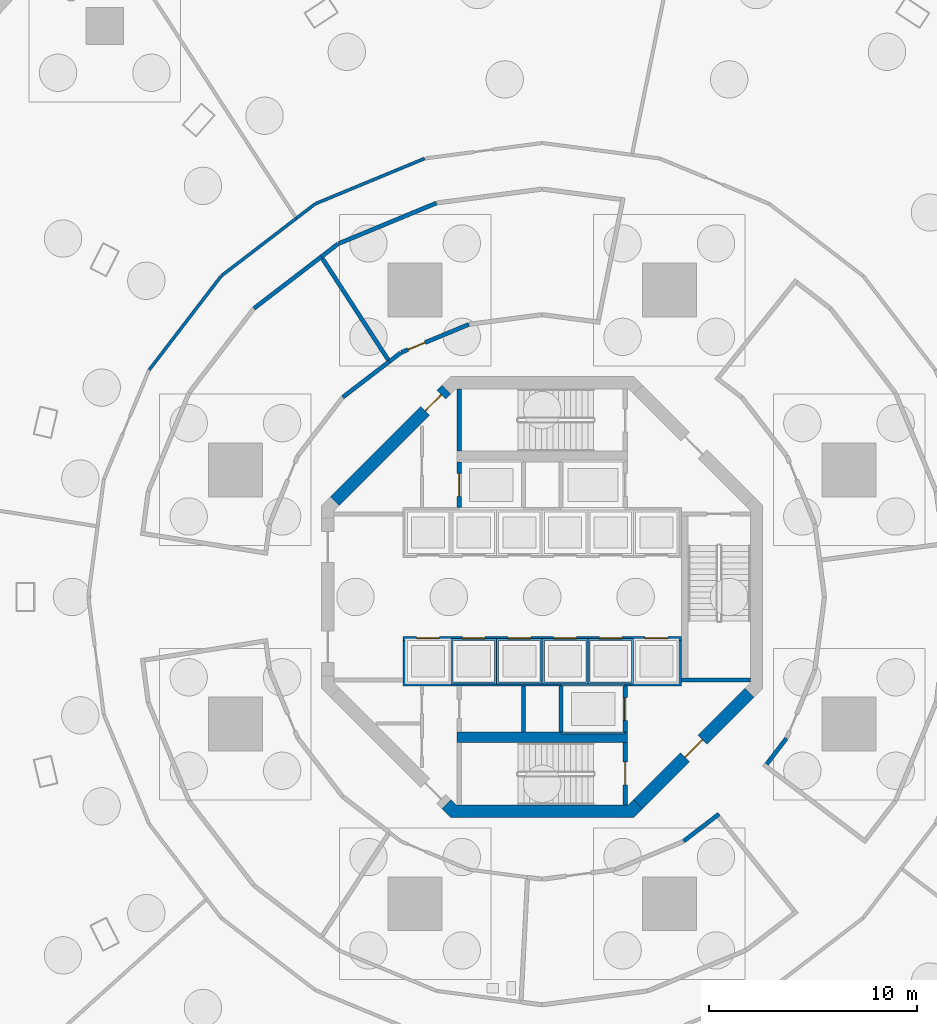
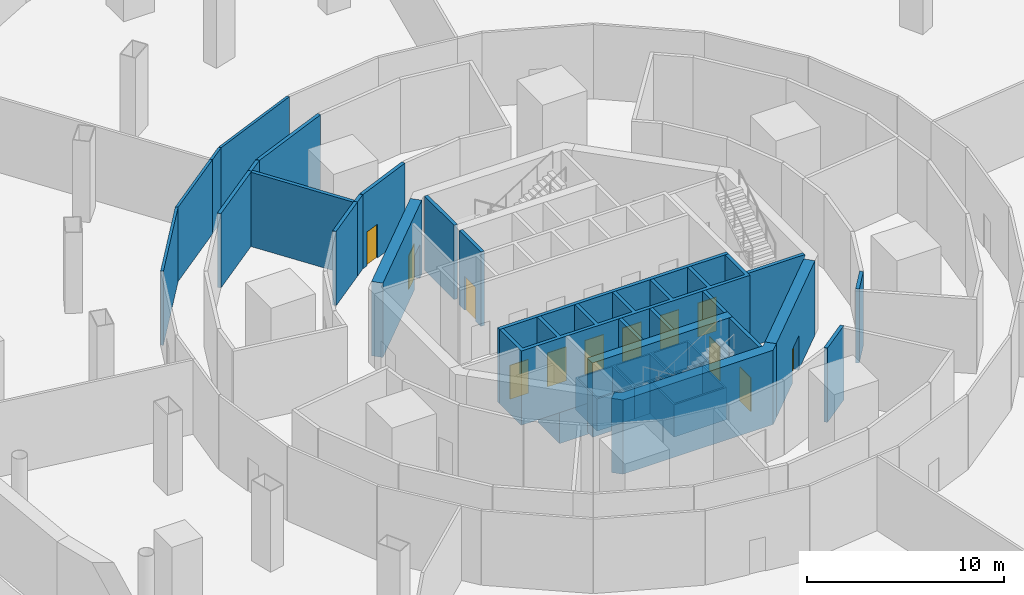
# One storey, part 7 of 14: 31 walls, 12 doors, 12 openings.
"""IFC4 building model written with IfcOpenShell, lengths in metres."""

from ifc_helpers import new_model, si_unit, direction, frame, frame_2d, origin, place, context, subcontext, project, spatial, polyline, rectangle, outline, extrude, material, layer, layer_set, type_object, element, fill, save


model = new_model("IFC4")

# Units and contexts
model_context = context("Model", 3, precision=1e-05, world=origin(), true_north=direction((0.0, 1.0)))
body_context = subcontext(model_context, "Body", "Model", "MODEL_VIEW")
ifc_project = project(units=[si_unit("LENGTHUNIT", "METRE"), si_unit("AREAUNIT", "SQUARE_METRE"), si_unit("VOLUMEUNIT", "CUBIC_METRE"), si_unit("PLANEANGLEUNIT", "RADIAN"), si_unit("MASSUNIT", "GRAM", prefix="KILO")], contexts=[model_context])

# Site, building, storey
site_placement = place(None, origin())
site = spatial("IfcSite", under=ifc_project, at=site_placement, CompositionType="ELEMENT")
building_placement = place(site_placement, origin())
building = spatial("IfcBuilding", under=site, at=building_placement, Name="Nagisa Residences", CompositionType="ELEMENT")
storey_placement = place(building_placement, frame((0.0, 0.0, -10.0)))
storey = spatial("IfcBuildingStorey", under=building, at=storey_placement, Name="B2", CompositionType="ELEMENT", Elevation=-10.0)

# Wall, opening, door
ifc_material_1 = material(Name="Concrete C60", Category="concrete")
ifc_layer_1 = layer(ifc_material_1, 0.60009765625)
ifc_layer_set_1 = layer_set([ifc_layer_1], Name="Core shear wall 600")
wall_type_1 = type_object("IfcWallType", Name="Core shear wall 600", PredefinedType="SHEAR", material=ifc_layer_set_1)
wall_1_placement = place(storey_placement, frame((-4.613037109375, 9.98828125, 0.0), z_axis=(0.0, 0.0, 1.0), x_axis=(-0.707106781187, -0.707106781187, 0.0)))
wall_1 = element("IfcWall", 1, at=wall_1_placement, inside=storey, type_object=wall_type_1, Name="wall:B2:core:flat3", PredefinedType="SHEAR", context=body_context, shape_type="SweptSolid", body=[
    extrude(rectangle(XDim=7.601806640625, YDim=0.60009765625, at=frame_2d((3.80078125, 0.0))), origin(), (0.0, 0.0, 1.0), 4.60009765625),
])
opening_1_placement = place(wall_1_placement, frame((0.350830078125, 0.0, 0.0)))
opening_1 = element("IfcOpeningElement", 2, at=opening_1_placement, cuts=wall_1, Name="Opening B2-C27", PredefinedType="OPENING", context=body_context, shape_type="SweptSolid", body=[
    extrude(rectangle(XDim=1.10009765625, YDim=2.10009765625, at=frame_2d((0.550048828125, 1.050048828125))), frame((0.0, 0.31005859375, 0.0), z_axis=(0.0, -1.0, 0.0), x_axis=(1.0, 0.0, 0.0)), (0.0, 0.0, 1.0), 0.6201171875),
])
ifc_material_2 = material(Name="Steel fire door", Category="steel")
door_type_1 = type_object("IfcDoorType", Name="Fire door EI60 1100x2100 single swing", OperationType="NOTDEFINED", PredefinedType="DOOR", material=ifc_material_2)
door_1_placement = place(opening_1_placement, origin())
door_1 = element("IfcDoor", 3, at=door_1_placement, inside=storey, type_object=door_type_1, Name="Service lobby door B2", OperationType="SINGLE_SWING_LEFT", OverallHeight=2.10009765625, OverallWidth=1.10009765625, PredefinedType="DOOR", context=body_context, shape_type="SweptSolid", body=[
    extrude(rectangle(XDim=1.10009765625, YDim=2.10009765625, at=frame_2d((0.550048828125, 1.050048828125))), frame((0.0, 0.02490234375, 0.0), z_axis=(0.0, -1.0, 0.0), x_axis=(1.0, 0.0, 0.0)), (0.0, 0.0, 1.0), 0.050048828125),
])
fill(opening_1, door_1)

wall_2_placement = place(storey_placement, frame((4.613037109375, -9.98828125, 0.0), z_axis=(0.0, 0.0, 1.0), x_axis=(0.707106781187, 0.707106781187, 0.0)))
wall_2 = element("IfcWall", 4, at=wall_2_placement, inside=storey, type_object=wall_type_1, Name="wall:B2:core:flat7", PredefinedType="SHEAR", context=body_context, shape_type="SweptSolid", body=[
    extrude(rectangle(XDim=7.601806640625, YDim=0.60009765625, at=frame_2d((3.80078125, 0.0))), origin(), (0.0, 0.0, 1.0), 4.60009765625),
])
opening_2_placement = place(wall_2_placement, frame((3.200927734375, 0.0, 0.0)))
opening_2 = element("IfcOpeningElement", 5, at=opening_2_placement, cuts=wall_2, Name="Opening B2-C24", PredefinedType="OPENING", context=body_context, shape_type="SweptSolid", body=[
    extrude(rectangle(XDim=1.199951171875, YDim=2.10009765625, at=frame_2d((0.60009765625, 1.050048828125))), frame((0.0, 0.31005859375, 0.0), z_axis=(0.0, -1.0, 0.0), x_axis=(1.0, 0.0, 0.0)), (0.0, 0.0, 1.0), 0.6201171875),
])
ifc_material_3 = material(Name="Steel fire door", Category="steel")
door_type_2 = type_object("IfcDoorType", Name="Fire door EI60 1200x2100 single swing", OperationType="NOTDEFINED", PredefinedType="DOOR", material=ifc_material_3)
door_2_placement = place(opening_2_placement, origin())
door_2 = element("IfcDoor", 6, at=door_2_placement, inside=storey, type_object=door_type_2, Name="Firefighting lobby 2 door B2", OperationType="SINGLE_SWING_LEFT", OverallHeight=2.10009765625, OverallWidth=1.199951171875, PredefinedType="DOOR", context=body_context, shape_type="SweptSolid", body=[
    extrude(rectangle(XDim=1.199951171875, YDim=2.10009765625, at=frame_2d((0.60009765625, 1.050048828125))), frame((0.0, 0.02490234375, 0.0), z_axis=(0.0, -1.0, 0.0), x_axis=(1.0, 0.0, 0.0)), (0.0, 0.0, 1.0), 0.050048828125),
])
fill(opening_2, door_2)

# Walls
wall_3_placement = place(storey_placement, origin())
element("IfcWall", 7, at=wall_3_placement, inside=storey, type_object=wall_type_1, Name="wall:B2:core:flat6", PredefinedType="SHEAR", context=body_context, shape_type="SweptSolid", body=[
    extrude(outline(polyline([(-4.15234375, -10.024658203125), (4.15234375, -10.024658203125), (4.40087890625, -9.776123046875), (4.8251953125, -10.200439453125), (4.40087890625, -10.62451171875), (-4.40087890625, -10.62451171875), (-4.8251953125, -10.200439453125), (-4.40087890625, -9.776123046875), (-4.15234375, -10.024658203125)])), origin(), (0.0, 0.0, 1.0), 4.60009765625),
])
ifc_material_4 = material(Name="Concrete C60", Category="concrete")
ifc_layer_2 = layer(ifc_material_4, 0.300048828125)
ifc_layer_set_2 = layer_set([ifc_layer_2], Name="Lift pit wall")
wall_type_2 = type_object("IfcWallType", Name="Lift pit wall", PredefinedType="SOLIDWALL", material=ifc_layer_set_2)
wall_4_placement = place(storey_placement, frame((0.0, 0.0, -2.0)))
element("IfcWall", 8, at=wall_4_placement, inside=storey, type_object=wall_type_2, Name="pit:A5:wall", PredefinedType="SOLIDWALL", context=body_context, shape_type="SweptSolid", body=[
    extrude(outline(polyline([(-2.199951171875, -4.199951171875), (-4.39990234375, -4.199951171875), (-4.39990234375, -2.0), (-2.199951171875, -2.0), (-2.199951171875, -4.199951171875)]), holes=[polyline([(-2.300048828125, -4.10009765625), (-2.300048828125, -2.10009765625), (-4.300048828125, -2.10009765625), (-4.300048828125, -4.10009765625), (-2.300048828125, -4.10009765625)])]), origin(), (0.0, 0.0, 1.0), 2.0),
])
wall_5_placement = place(storey_placement, frame((0.0, 0.0, -2.0)))
element("IfcWall", 9, at=wall_5_placement, inside=storey, type_object=wall_type_2, Name="pit:B3:wall", PredefinedType="SOLIDWALL", context=body_context, shape_type="SweptSolid", body=[
    extrude(outline(polyline([(0.0, -4.199951171875), (-2.199951171875, -4.199951171875), (-2.199951171875, -2.0), (0.0, -2.0), (0.0, -4.199951171875)]), holes=[polyline([(-0.10009765625, -4.10009765625), (-0.10009765625, -2.10009765625), (-2.10009765625, -2.10009765625), (-2.10009765625, -4.10009765625), (-0.10009765625, -4.10009765625)])]), origin(), (0.0, 0.0, 1.0), 2.0),
])
wall_6_placement = place(storey_placement, frame((0.0, 0.0, -2.0)))
element("IfcWall", 10, at=wall_6_placement, inside=storey, type_object=wall_type_2, Name="pit:B4:wall", PredefinedType="SOLIDWALL", context=body_context, shape_type="SweptSolid", body=[
    extrude(outline(polyline([(2.199951171875, -4.199951171875), (0.0, -4.199951171875), (0.0, -2.0), (2.199951171875, -2.0), (2.199951171875, -4.199951171875)]), holes=[polyline([(2.10009765625, -4.10009765625), (2.10009765625, -2.10009765625), (0.10009765625, -2.10009765625), (0.10009765625, -4.10009765625), (2.10009765625, -4.10009765625)])]), origin(), (0.0, 0.0, 1.0), 2.0),
])
wall_7_placement = place(storey_placement, frame((0.0, 0.0, -2.0)))
element("IfcWall", 11, at=wall_7_placement, inside=storey, type_object=wall_type_2, Name="pit:C2:wall", PredefinedType="SOLIDWALL", context=body_context, shape_type="SweptSolid", body=[
    extrude(outline(polyline([(4.39990234375, -4.199951171875), (2.199951171875, -4.199951171875), (2.199951171875, -2.0), (4.39990234375, -2.0), (4.39990234375, -4.199951171875)]), holes=[polyline([(4.300048828125, -4.10009765625), (4.300048828125, -2.10009765625), (2.300048828125, -2.10009765625), (2.300048828125, -4.10009765625), (4.300048828125, -4.10009765625)])]), origin(), (0.0, 0.0, 1.0), 2.0),
])
wall_8_placement = place(storey_placement, frame((0.0, 0.0, -2.0)))
element("IfcWall", 12, at=wall_8_placement, inside=storey, type_object=wall_type_2, Name="pit:FL2:wall", PredefinedType="SOLIDWALL", context=body_context, shape_type="SweptSolid", body=[
    extrude(outline(polyline([(4.0, -6.60009765625), (0.89990234375, -6.60009765625), (0.89990234375, -4.199951171875), (4.0, -4.199951171875), (4.0, -6.60009765625)]), holes=[polyline([(3.89990234375, -6.5), (3.89990234375, -4.300048828125), (1.0, -4.300048828125), (1.0, -6.5), (3.89990234375, -6.5)])]), origin(), (0.0, 0.0, 1.0), 2.0),
])

# Wall, opening, door
ifc_material_5 = material(Name="Concrete C60", Category="concrete")
ifc_layer_3 = layer(ifc_material_5, 0.199951171875)
ifc_layer_set_3 = layer_set([ifc_layer_3], Name="Lift shaft wall 200")
wall_type_3 = type_object("IfcWallType", Name="Lift shaft wall 200", PredefinedType="SOLIDWALL", material=ifc_layer_set_3)
wall_9_placement = place(storey_placement, frame((-4.0, 4.300048828125, 0.0), z_axis=(0.0, 0.0, 1.0), x_axis=(0.0, 1.0, 0.0)))
wall_9 = element("IfcWall", 13, at=wall_9_placement, inside=storey, type_object=wall_type_3, Name="wall:B2:Nb4", PredefinedType="SOLIDWALL", context=body_context, shape_type="SweptSolid", body=[
    extrude(rectangle(XDim=2.199951171875, YDim=0.199951171875, at=frame_2d((1.10009765625, 0.0))), origin(), (0.0, 0.0, 1.0), 4.60009765625),
])
opening_3_placement = place(wall_9_placement, frame((0.550048828125, 0.0, 0.0)))
opening_3 = element("IfcOpeningElement", 14, at=opening_3_placement, cuts=wall_9, Name="Opening B2-C15", PredefinedType="OPENING", context=body_context, shape_type="SweptSolid", body=[
    extrude(rectangle(XDim=1.10009765625, YDim=2.10009765625, at=frame_2d((0.550048828125, 1.050048828125))), frame((0.0, 0.10986328125, 0.0), z_axis=(0.0, -1.0, 0.0), x_axis=(1.0, 0.0, 0.0)), (0.0, 0.0, 1.0), 0.219970703125),
])
ifc_material_6 = material(Name="Stainless steel", Category="steel")
door_type_3 = type_object("IfcDoorType", Name="Lift landing door 1100x2100", OperationType="DOUBLE_DOOR_SLIDING", PredefinedType="DOOR", material=ifc_material_6)
door_3_placement = place(opening_3_placement, origin())
door_3 = element("IfcDoor", 15, at=door_3_placement, inside=storey, type_object=door_type_3, Name="Landing door SV B2", OperationType="DOUBLE_DOOR_SLIDING", OverallHeight=2.10009765625, OverallWidth=1.10009765625, PredefinedType="DOOR", context=body_context, shape_type="SweptSolid", body=[
    extrude(rectangle(XDim=1.10009765625, YDim=2.10009765625, at=frame_2d((0.550048828125, 1.050048828125))), frame((0.0, 0.02490234375, 0.0), z_axis=(0.0, -1.0, 0.0), x_axis=(1.0, 0.0, 0.0)), (0.0, 0.0, 1.0), 0.050048828125),
])
fill(opening_3, door_3)

wall_10_placement = place(storey_placement, frame((4.0, -6.5, 0.0), z_axis=(0.0, 0.0, 1.0), x_axis=(0.0, 1.0, 0.0)))
wall_10 = element("IfcWall", 16, at=wall_10_placement, inside=storey, type_object=wall_type_3, Name="wall:B2:Sb3", PredefinedType="SOLIDWALL", context=body_context, shape_type="SweptSolid", body=[
    extrude(rectangle(XDim=2.199951171875, YDim=0.199951171875, at=frame_2d((1.10009765625, 0.0))), origin(), (0.0, 0.0, 1.0), 4.60009765625),
])
opening_4_placement = place(wall_10_placement, frame((0.550048828125, 0.0, 0.0)))
opening_4 = element("IfcOpeningElement", 17, at=opening_4_placement, cuts=wall_10, Name="Opening B2-C14", PredefinedType="OPENING", context=body_context, shape_type="SweptSolid", body=[
    extrude(rectangle(XDim=1.10009765625, YDim=2.10009765625, at=frame_2d((0.550048828125, 1.050048828125))), frame((0.0, 0.10986328125, 0.0), z_axis=(0.0, -1.0, 0.0), x_axis=(1.0, 0.0, 0.0)), (0.0, 0.0, 1.0), 0.219970703125),
])
door_4_placement = place(opening_4_placement, origin())
door_4 = element("IfcDoor", 18, at=door_4_placement, inside=storey, type_object=door_type_3, Name="Landing door FL2 B2", OperationType="DOUBLE_DOOR_SLIDING", OverallHeight=2.10009765625, OverallWidth=1.10009765625, PredefinedType="DOOR", context=body_context, shape_type="SweptSolid", body=[
    extrude(rectangle(XDim=1.10009765625, YDim=2.10009765625, at=frame_2d((0.550048828125, 1.050048828125))), frame((0.0, 0.02490234375, 0.0), z_axis=(0.0, -1.0, 0.0), x_axis=(1.0, 0.0, 0.0)), (0.0, 0.0, 1.0), 0.050048828125),
])
fill(opening_4, door_4)

# Wall, openings, doors
wall_11_placement = place(storey_placement, frame((-6.699951171875, -2.0, 0.0), z_axis=(0.0, 0.0, 1.0), x_axis=(1.0, 0.0, 0.0)))
wall_11 = element("IfcWall", 19, at=wall_11_placement, inside=storey, type_object=wall_type_3, Name="wall:B2:Sfront", PredefinedType="SOLIDWALL", context=body_context, shape_type="SweptSolid", body=[
    extrude(rectangle(XDim=13.39990234375, YDim=0.199951171875, at=frame_2d((6.699951171875, 0.0))), origin(), (0.0, 0.0, 1.0), 4.60009765625),
])
opening_5_placement = place(wall_11_placement, frame((0.64990234375, 0.0, 0.0)))
opening_5 = element("IfcOpeningElement", 20, at=opening_5_placement, cuts=wall_11, Name="Opening B2-C07", PredefinedType="OPENING", context=body_context, shape_type="SweptSolid", body=[
    extrude(rectangle(XDim=1.10009765625, YDim=2.10009765625, at=frame_2d((0.550048828125, 1.050048828125))), frame((0.0, 0.10986328125, 0.0), z_axis=(0.0, -1.0, 0.0), x_axis=(1.0, 0.0, 0.0)), (0.0, 0.0, 1.0), 0.219970703125),
])
opening_6_placement = place(wall_11_placement, frame((2.85009765625, 0.0, 0.0)))
opening_6 = element("IfcOpeningElement", 21, at=opening_6_placement, cuts=wall_11, Name="Opening B2-C08", PredefinedType="OPENING", context=body_context, shape_type="SweptSolid", body=[
    extrude(rectangle(XDim=1.10009765625, YDim=2.10009765625, at=frame_2d((0.550048828125, 1.050048828125))), frame((0.0, 0.10986328125, 0.0), z_axis=(0.0, -1.0, 0.0), x_axis=(1.0, 0.0, 0.0)), (0.0, 0.0, 1.0), 0.219970703125),
])
opening_7_placement = place(wall_11_placement, frame((5.050048828125, 0.0, 0.0)))
opening_7 = element("IfcOpeningElement", 22, at=opening_7_placement, cuts=wall_11, Name="Opening B2-C09", PredefinedType="OPENING", context=body_context, shape_type="SweptSolid", body=[
    extrude(rectangle(XDim=1.10009765625, YDim=2.10009765625, at=frame_2d((0.550048828125, 1.050048828125))), frame((0.0, 0.10986328125, 0.0), z_axis=(0.0, -1.0, 0.0), x_axis=(1.0, 0.0, 0.0)), (0.0, 0.0, 1.0), 0.219970703125),
])
opening_8_placement = place(wall_11_placement, frame((7.25, 0.0, 0.0)))
opening_8 = element("IfcOpeningElement", 23, at=opening_8_placement, cuts=wall_11, Name="Opening B2-C10", PredefinedType="OPENING", context=body_context, shape_type="SweptSolid", body=[
    extrude(rectangle(XDim=1.10009765625, YDim=2.10009765625, at=frame_2d((0.550048828125, 1.050048828125))), frame((0.0, 0.10986328125, 0.0), z_axis=(0.0, -1.0, 0.0), x_axis=(1.0, 0.0, 0.0)), (0.0, 0.0, 1.0), 0.219970703125),
])
opening_9_placement = place(wall_11_placement, frame((9.449951171875, 0.0, 0.0)))
opening_9 = element("IfcOpeningElement", 24, at=opening_9_placement, cuts=wall_11, Name="Opening B2-C11", PredefinedType="OPENING", context=body_context, shape_type="SweptSolid", body=[
    extrude(rectangle(XDim=1.10009765625, YDim=2.10009765625, at=frame_2d((0.550048828125, 1.050048828125))), frame((0.0, 0.10986328125, 0.0), z_axis=(0.0, -1.0, 0.0), x_axis=(1.0, 0.0, 0.0)), (0.0, 0.0, 1.0), 0.219970703125),
])
opening_10_placement = place(wall_11_placement, frame((11.64990234375, 0.0, 0.0)))
opening_10 = element("IfcOpeningElement", 25, at=opening_10_placement, cuts=wall_11, Name="Opening B2-C12", PredefinedType="OPENING", context=body_context, shape_type="SweptSolid", body=[
    extrude(rectangle(XDim=1.10009765625, YDim=2.10009765625, at=frame_2d((0.550048828125, 1.050048828125))), frame((0.0, 0.10986328125, 0.0), z_axis=(0.0, -1.0, 0.0), x_axis=(1.0, 0.0, 0.0)), (0.0, 0.0, 1.0), 0.219970703125),
])
door_5_placement = place(opening_5_placement, origin())
door_5 = element("IfcDoor", 26, at=door_5_placement, inside=storey, type_object=door_type_3, Name="Landing door A4 B2", OperationType="DOUBLE_DOOR_SLIDING", OverallHeight=2.10009765625, OverallWidth=1.10009765625, PredefinedType="DOOR", context=body_context, shape_type="SweptSolid", body=[
    extrude(rectangle(XDim=1.10009765625, YDim=2.10009765625, at=frame_2d((0.550048828125, 1.050048828125))), frame((0.0, 0.02490234375, 0.0), z_axis=(0.0, -1.0, 0.0), x_axis=(1.0, 0.0, 0.0)), (0.0, 0.0, 1.0), 0.050048828125),
])
fill(opening_5, door_5)
door_6_placement = place(opening_6_placement, origin())
door_6 = element("IfcDoor", 27, at=door_6_placement, inside=storey, type_object=door_type_3, Name="Landing door A5 B2", OperationType="DOUBLE_DOOR_SLIDING", OverallHeight=2.10009765625, OverallWidth=1.10009765625, PredefinedType="DOOR", context=body_context, shape_type="SweptSolid", body=[
    extrude(rectangle(XDim=1.10009765625, YDim=2.10009765625, at=frame_2d((0.550048828125, 1.050048828125))), frame((0.0, 0.02490234375, 0.0), z_axis=(0.0, -1.0, 0.0), x_axis=(1.0, 0.0, 0.0)), (0.0, 0.0, 1.0), 0.050048828125),
])
fill(opening_6, door_6)
door_7_placement = place(opening_7_placement, origin())
door_7 = element("IfcDoor", 28, at=door_7_placement, inside=storey, type_object=door_type_3, Name="Landing door B3 B2", OperationType="DOUBLE_DOOR_SLIDING", OverallHeight=2.10009765625, OverallWidth=1.10009765625, PredefinedType="DOOR", context=body_context, shape_type="SweptSolid", body=[
    extrude(rectangle(XDim=1.10009765625, YDim=2.10009765625, at=frame_2d((0.550048828125, 1.050048828125))), frame((0.0, 0.02490234375, 0.0), z_axis=(0.0, -1.0, 0.0), x_axis=(1.0, 0.0, 0.0)), (0.0, 0.0, 1.0), 0.050048828125),
])
fill(opening_7, door_7)
door_8_placement = place(opening_8_placement, origin())
door_8 = element("IfcDoor", 29, at=door_8_placement, inside=storey, type_object=door_type_3, Name="Landing door B4 B2", OperationType="DOUBLE_DOOR_SLIDING", OverallHeight=2.10009765625, OverallWidth=1.10009765625, PredefinedType="DOOR", context=body_context, shape_type="SweptSolid", body=[
    extrude(rectangle(XDim=1.10009765625, YDim=2.10009765625, at=frame_2d((0.550048828125, 1.050048828125))), frame((0.0, 0.02490234375, 0.0), z_axis=(0.0, -1.0, 0.0), x_axis=(1.0, 0.0, 0.0)), (0.0, 0.0, 1.0), 0.050048828125),
])
fill(opening_8, door_8)
door_9_placement = place(opening_9_placement, origin())
door_9 = element("IfcDoor", 30, at=door_9_placement, inside=storey, type_object=door_type_3, Name="Landing door C2 B2", OperationType="DOUBLE_DOOR_SLIDING", OverallHeight=2.10009765625, OverallWidth=1.10009765625, PredefinedType="DOOR", context=body_context, shape_type="SweptSolid", body=[
    extrude(rectangle(XDim=1.10009765625, YDim=2.10009765625, at=frame_2d((0.550048828125, 1.050048828125))), frame((0.0, 0.02490234375, 0.0), z_axis=(0.0, -1.0, 0.0), x_axis=(1.0, 0.0, 0.0)), (0.0, 0.0, 1.0), 0.050048828125),
])
fill(opening_9, door_9)
door_10_placement = place(opening_10_placement, origin())
door_10 = element("IfcDoor", 31, at=door_10_placement, inside=storey, type_object=door_type_3, Name="Landing door C3 B2", OperationType="DOUBLE_DOOR_SLIDING", OverallHeight=2.10009765625, OverallWidth=1.10009765625, PredefinedType="DOOR", context=body_context, shape_type="SweptSolid", body=[
    extrude(rectangle(XDim=1.10009765625, YDim=2.10009765625, at=frame_2d((0.550048828125, 1.050048828125))), frame((0.0, 0.02490234375, 0.0), z_axis=(0.0, -1.0, 0.0), x_axis=(1.0, 0.0, 0.0)), (0.0, 0.0, 1.0), 0.050048828125),
])
fill(opening_10, door_10)

# Walls
for number, where, z_axis, x_axis, name in (
    (32, (-0.89990234375, -6.5, 0.0), (0.0, 0.0, 1.0), (0.0, 1.0, 0.0), "wall:B2:Sb1"),
    (33, (0.89990234375, -6.5, 0.0), (0.0, 0.0, 1.0), (0.0, 1.0, 0.0), "wall:B2:Sb2"),
):
    element("IfcWall", number, at=place(storey_placement, frame(where, z_axis=z_axis, x_axis=x_axis)), inside=storey, type_object=wall_type_3, Name=name, PredefinedType="SOLIDWALL", context=body_context, shape_type="SweptSolid", body=[
        extrude(rectangle(XDim=2.199951171875, YDim=0.199951171875, at=frame_2d((1.10009765625, 0.0))), origin(), (0.0, 0.0, 1.0), 4.60009765625),
    ])
wall_12_placement = place(storey_placement, origin())
element("IfcWall", 34, at=wall_12_placement, inside=storey, type_object=wall_type_3, Name="wall:B2:Sback", PredefinedType="SOLIDWALL", context=body_context, shape_type="SweptSolid", body=[
    extrude(outline(polyline([(-6.699951171875, -2.10009765625), (-6.5, -2.10009765625), (-6.5, -4.10009765625), (-4.5, -4.10009765625), (-4.5, -2.10009765625), (-4.300048828125, -2.10009765625), (-4.300048828125, -4.10009765625), (-2.300048828125, -4.10009765625), (-2.300048828125, -2.10009765625), (-2.10009765625, -2.10009765625), (-2.10009765625, -4.10009765625), (-0.10009765625, -4.10009765625), (-0.10009765625, -2.10009765625), (0.10009765625, -2.10009765625), (0.10009765625, -4.10009765625), (2.10009765625, -4.10009765625), (2.10009765625, -2.10009765625), (2.300048828125, -2.10009765625), (2.300048828125, -4.10009765625), (4.300048828125, -4.10009765625), (4.300048828125, -2.10009765625), (4.5, -2.10009765625), (4.5, -4.10009765625), (6.5, -4.10009765625), (6.5, -2.10009765625), (6.699951171875, -2.10009765625), (6.699951171875, -4.300048828125), (-6.699951171875, -4.300048828125), (-6.699951171875, -2.10009765625)])), origin(), (0.0, 0.0, 1.0), 4.60009765625),
])
ifc_material_7 = material(Name="Gypsum board on steel studs", Category="steel")
ifc_layer_4 = layer(ifc_material_7, 0.199951171875)
ifc_layer_set_4 = layer_set([ifc_layer_4], Name="Plant room wall EI120 200")
wall_type_4 = type_object("IfcWallType", Name="Plant room wall EI120 200", PredefinedType="PARTITIONING", material=ifc_layer_set_4)
wall_13_placement = place(storey_placement, frame((-10.644287109375, 16.390869140625, 0.0), z_axis=(0.0, 0.0, 1.0), x_axis=(-0.79334357443, -0.608774155916, 0.0)))
element("IfcWall", 35, at=wall_13_placement, inside=storey, type_object=wall_type_4, Name="wall:B2:am059", PredefinedType="PARTITIONING", context=body_context, shape_type="SweptSolid", body=[
    extrude(rectangle(XDim=4.083251953125, YDim=0.199951171875, at=frame_2d((2.04150390625, 0.0))), origin(), (0.0, 0.0, 1.0), 4.60009765625),
])
wall_14_placement = place(storey_placement, frame((-9.837890625, 17.009765625, 0.0), z_axis=(0.0, 0.0, 1.0), x_axis=(-0.793293139848, -0.608839875723, 0.0)))
element("IfcWall", 36, at=wall_14_placement, inside=storey, type_object=wall_type_4, Name="wall:B2:am060", PredefinedType="PARTITIONING", context=body_context, shape_type="SweptSolid", body=[
    extrude(rectangle(XDim=1.0166015625, YDim=0.199951171875, at=frame_2d((0.50830078125, 0.0))), origin(), (0.0, 0.0, 1.0), 4.60009765625),
])
wall_15_placement = place(storey_placement, frame((-9.604736328125, 9.6259765625, 0.0), z_axis=(0.0, 0.0, 1.0), x_axis=(0.793389024662, 0.608714921409, 0.0)))
element("IfcWall", 37, at=wall_15_placement, inside=storey, type_object=wall_type_4, Name="wall:B2:am062", PredefinedType="PARTITIONING", context=body_context, shape_type="SweptSolid", body=[
    extrude(rectangle(XDim=2.821044921875, YDim=0.199951171875, at=frame_2d((1.41064453125, 0.0))), origin(), (0.0, 0.0, 1.0), 4.60009765625),
])
wall_16_placement = place(storey_placement, frame((-7.421142578125, 11.427490234375, 0.0), z_axis=(0.0, 0.0, 1.0), x_axis=(-0.544637259436, 0.838671721017, 0.0)))
element("IfcWall", 38, at=wall_16_placement, inside=storey, type_object=wall_type_4, Name="wall:B2:am064", PredefinedType="PARTITIONING", context=body_context, shape_type="SweptSolid", body=[
    extrude(rectangle(XDim=5.818115234375, YDim=0.199951171875, at=frame_2d((2.9091796875, 0.0))), origin(), (0.0, 0.0, 1.0), 4.60009765625),
])
wall_17_placement = place(storey_placement, frame((-7.366455078125, 11.34326171875, 0.0), z_axis=(0.0, 0.0, 1.0), x_axis=(0.793454504248, 0.608629566887, 0.0)))
element("IfcWall", 39, at=wall_17_placement, inside=storey, type_object=wall_type_4, Name="wall:B2:am065", PredefinedType="PARTITIONING", context=body_context, shape_type="SweptSolid", body=[
    extrude(rectangle(XDim=0.69873046875, YDim=0.199951171875, at=frame_2d((0.349365234375, 0.0))), origin(), (0.0, 0.0, 1.0), 4.60009765625),
])

# Wall, opening, door
wall_18_placement = place(storey_placement, frame((-6.785888671875, 11.78369140625, 0.0), z_axis=(0.0, 0.0, 1.0), x_axis=(0.92386297064, 0.382723413813, 0.0)))
wall_18 = element("IfcWall", 40, at=wall_18_placement, inside=storey, type_object=wall_type_4, Name="wall:B2:am066", PredefinedType="PARTITIONING", context=body_context, shape_type="SweptSolid", body=[
    extrude(rectangle(XDim=3.52001953125, YDim=0.199951171875, at=frame_2d((1.760009765625, 0.0))), origin(), (0.0, 0.0, 1.0), 4.60009765625),
])
opening_11_placement = place(wall_18_placement, frame((0.34228515625, 0.0, 0.0)))
opening_11 = element("IfcOpeningElement", 41, at=opening_11_placement, cuts=wall_18, Name="Opening B2-A02", PredefinedType="OPENING", context=body_context, shape_type="SweptSolid", body=[
    extrude(rectangle(XDim=0.89990234375, YDim=2.10009765625, at=frame_2d((0.449951171875, 1.050048828125))), frame((0.0, 0.10986328125, 0.0), z_axis=(0.0, -1.0, 0.0), x_axis=(1.0, 0.0, 0.0)), (0.0, 0.0, 1.0), 0.219970703125),
])
ifc_material_8 = material(Name="Steel fire door", Category="steel")
door_type_4 = type_object("IfcDoorType", Name="Fire door EI120 900x2100 single swing", OperationType="NOTDEFINED", PredefinedType="DOOR", material=ifc_material_8)
door_11_placement = place(opening_11_placement, origin())
door_11 = element("IfcDoor", 42, at=door_11_placement, inside=storey, type_object=door_type_4, Name="Fire water tank room door", OperationType="SINGLE_SWING_LEFT", OverallHeight=2.10009765625, OverallWidth=0.89990234375, PredefinedType="DOOR", context=body_context, shape_type="SweptSolid", body=[
    extrude(rectangle(XDim=0.89990234375, YDim=2.10009765625, at=frame_2d((0.449951171875, 1.050048828125))), frame((0.0, 0.02490234375, 0.0), z_axis=(0.0, -1.0, 0.0), x_axis=(1.0, 0.0, 0.0)), (0.0, 0.0, 1.0), 0.050048828125),
])
fill(opening_11, door_11)

# Walls
wall_19_placement = place(storey_placement, frame((-5.100341796875, 18.976318359375, 0.0), z_axis=(0.0, 0.0, 1.0), x_axis=(-0.9238779676, -0.382687210373, 0.0)))
element("IfcWall", 43, at=wall_19_placement, inside=storey, type_object=wall_type_4, Name="wall:B2:am067", PredefinedType="PARTITIONING", context=body_context, shape_type="SweptSolid", body=[
    extrude(rectangle(XDim=5.099853515625, YDim=0.199951171875, at=frame_2d((2.5498046875, 0.0))), origin(), (0.0, 0.0, 1.0), 4.60009765625),
])
wall_20_placement = place(storey_placement, frame((8.521240234375, -10.457275390625, 0.0), z_axis=(0.0, 0.0, 1.0), x_axis=(-0.793411148419, -0.608686084582, 0.0)))
element("IfcWall", 44, at=wall_20_placement, inside=storey, type_object=wall_type_4, Name="wall:B2:am080", PredefinedType="PARTITIONING", context=body_context, shape_type="SweptSolid", body=[
    extrude(rectangle(XDim=2.154296875, YDim=0.199951171875, at=frame_2d((1.0771484375, 0.0))), origin(), (0.0, 0.0, 1.0), 4.60009765625),
])
wall_21_placement = place(storey_placement, frame((11.7685546875, -6.81201171875, 0.0), z_axis=(0.0, 0.0, 1.0), x_axis=(-0.608670453571, -0.793423139913, 0.0)))
element("IfcWall", 45, at=wall_21_placement, inside=storey, type_object=wall_type_4, Name="wall:B2:am085", PredefinedType="PARTITIONING", context=body_context, shape_type="SweptSolid", body=[
    extrude(rectangle(XDim=1.56591796875, YDim=0.199951171875, at=frame_2d((0.782958984375, 0.0))), origin(), (0.0, 0.0, 1.0), 4.60009765625),
])
ifc_material_9 = material(Name="Gypsum board on steel studs", Category="steel")
ifc_layer_5 = layer(ifc_material_9, 0.14990234375)
ifc_layer_set_5 = layer_set([ifc_layer_5], Name="Room partition EI60 150")
wall_type_5 = type_object("IfcWallType", Name="Room partition EI60 150", PredefinedType="PARTITIONING", material=ifc_layer_set_5)
wall_22_placement = place(storey_placement, frame((-18.933349609375, 10.94482421875, 0.0), z_axis=(0.0, 0.0, 1.0), x_axis=(0.608757822828, 0.793356107398, 0.0)))
element("IfcWall", 46, at=wall_22_placement, inside=storey, type_object=wall_type_5, Name="wall:B2:am006", PredefinedType="PARTITIONING", context=body_context, shape_type="SweptSolid", body=[
    extrude(rectangle(XDim=5.685546875, YDim=0.14990234375, at=frame_2d((2.8427734375, 0.0))), origin(), (0.0, 0.0, 1.0), 4.60009765625),
])
wall_23_placement = place(storey_placement, frame((-15.45556640625, 15.47216796875, 0.0), z_axis=(0.0, 0.0, 1.0), x_axis=(0.793357543816, 0.608755950829, 0.0)))
element("IfcWall", 47, at=wall_23_placement, inside=storey, type_object=wall_type_5, Name="wall:B2:am010", PredefinedType="PARTITIONING", context=body_context, shape_type="SweptSolid", body=[
    extrude(rectangle(XDim=4.549560546875, YDim=0.14990234375, at=frame_2d((2.27490234375, 0.0))), origin(), (0.0, 0.0, 1.0), 4.60009765625),
])
wall_24_placement = place(storey_placement, frame((-11.84619140625, 18.24169921875, 0.0), z_axis=(0.0, 0.0, 1.0), x_axis=(0.793350355506, 0.608765318837, 0.0)))
element("IfcWall", 48, at=wall_24_placement, inside=storey, type_object=wall_type_5, Name="wall:B2:am012", PredefinedType="PARTITIONING", context=body_context, shape_type="SweptSolid", body=[
    extrude(rectangle(XDim=1.13623046875, YDim=0.14990234375, at=frame_2d((0.568115234375, 0.0))), origin(), (0.0, 0.0, 1.0), 4.60009765625),
])
wall_25_placement = place(storey_placement, frame((-10.92431640625, 18.945068359375, 0.0), z_axis=(0.0, 0.0, 1.0), x_axis=(0.923876568882, 0.38269058712, 0.0)))
element("IfcWall", 49, at=wall_25_placement, inside=storey, type_object=wall_type_5, Name="wall:B2:am014", PredefinedType="PARTITIONING", context=body_context, shape_type="SweptSolid", body=[
    extrude(rectangle(XDim=5.685546875, YDim=0.14990234375, at=frame_2d((2.8427734375, 0.0))), origin(), (0.0, 0.0, 1.0), 4.60009765625),
])

# Wall, opening, door
ifc_material_10 = material(Name="Concrete C60", Category="concrete")
ifc_layer_6 = layer(ifc_material_10, 0.199951171875)
ifc_layer_set_6 = layer_set([ifc_layer_6], Name="Stair enclosure wall 200")
wall_type_6 = type_object("IfcWallType", Name="Stair enclosure wall 200", PredefinedType="SOLIDWALL", material=ifc_layer_set_6)
wall_26_placement = place(storey_placement, frame((4.0, -10.024658203125, 0.0), z_axis=(0.0, 0.0, 1.0), x_axis=(0.0, 1.0, 0.0)))
wall_26 = element("IfcWall", 50, at=wall_26_placement, inside=storey, type_object=wall_type_6, Name="wall:B2:SS_e", PredefinedType="SOLIDWALL", context=body_context, shape_type="SweptSolid", body=[
    extrude(rectangle(XDim=3.0, YDim=0.199951171875, at=frame_2d((1.5, 0.0))), origin(), (0.0, 0.0, 1.0), 4.60009765625),
])
opening_12_placement = place(wall_26_placement, frame((0.974609375, 0.0, 0.0)))
opening_12 = element("IfcOpeningElement", 51, at=opening_12_placement, cuts=wall_26, Name="Opening B2-C18", PredefinedType="OPENING", context=body_context, shape_type="SweptSolid", body=[
    extrude(rectangle(XDim=1.10009765625, YDim=2.10009765625, at=frame_2d((0.550048828125, 1.050048828125))), frame((0.0, 0.10986328125, 0.0), z_axis=(0.0, -1.0, 0.0), x_axis=(1.0, 0.0, 0.0)), (0.0, 0.0, 1.0), 0.219970703125),
])
ifc_material_11 = material(Name="Steel fire door", Category="steel")
door_type_5 = type_object("IfcDoorType", Name="Fire door EI90 1100x2100 single swing", OperationType="NOTDEFINED", PredefinedType="DOOR", material=ifc_material_11)
door_12_placement = place(opening_12_placement, origin())
door_12 = element("IfcDoor", 52, at=door_12_placement, inside=storey, type_object=door_type_5, Name="Stair door ST-S B2", OperationType="SINGLE_SWING_RIGHT", OverallHeight=2.10009765625, OverallWidth=1.10009765625, PredefinedType="DOOR", context=body_context, shape_type="SweptSolid", body=[
    extrude(rectangle(XDim=1.10009765625, YDim=2.10009765625, at=frame_2d((0.550048828125, 1.050048828125))), frame((0.0, 0.02490234375, 0.0), z_axis=(0.0, -1.0, 0.0), x_axis=(1.0, 0.0, 0.0)), (0.0, 0.0, 1.0), 0.050048828125),
])
fill(opening_12, door_12)

# Walls
wall_27_placement = place(storey_placement, origin())
element("IfcWall", 53, at=wall_27_placement, inside=storey, type_object=wall_type_6, Name="wall:B2:SN_w", PredefinedType="SOLIDWALL", context=body_context, shape_type="SweptSolid", body=[
    extrude(outline(polyline([(-3.89990234375, 7.024658203125), (-4.10009765625, 7.024658203125), (-4.10009765625, 10.024658203125), (-3.89990234375, 10.024658203125), (-3.89990234375, 7.024658203125)])), origin(), (0.0, 0.0, 1.0), 4.60009765625),
])
wall_28_placement = place(storey_placement, origin())
element("IfcWall", 54, at=wall_28_placement, inside=storey, type_object=wall_type_6, Name="wall:B2:SS_n", PredefinedType="SOLIDWALL", context=body_context, shape_type="SweptSolid", body=[
    extrude(outline(polyline([(4.10009765625, -7.024658203125), (-4.10009765625, -7.024658203125), (-4.10009765625, -6.5), (4.10009765625, -6.5), (4.10009765625, -7.024658203125)])), origin(), (0.0, 0.0, 1.0), 4.60009765625),
])
wall_29_placement = place(storey_placement, origin())
element("IfcWall", 55, at=wall_29_placement, inside=storey, type_object=wall_type_6, Name="wall:B2:SE_s", PredefinedType="SOLIDWALL", context=body_context, shape_type="SweptSolid", body=[
    extrude(outline(polyline([(10.024658203125, -4.10009765625), (6.699951171875, -4.10009765625), (6.699951171875, -3.89990234375), (10.024658203125, -3.89990234375), (10.024658203125, -4.10009765625)])), origin(), (0.0, 0.0, 1.0), 4.60009765625),
])

save(model, "model.ifc")
